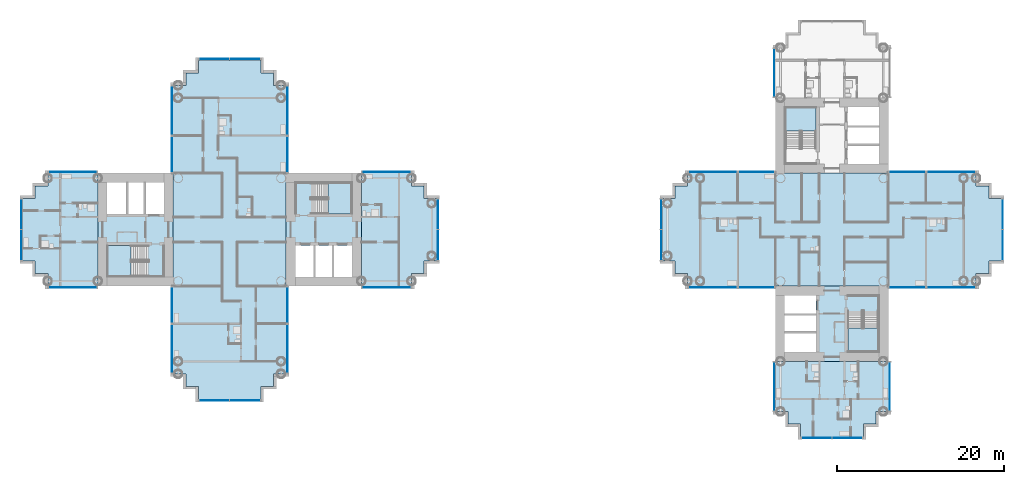
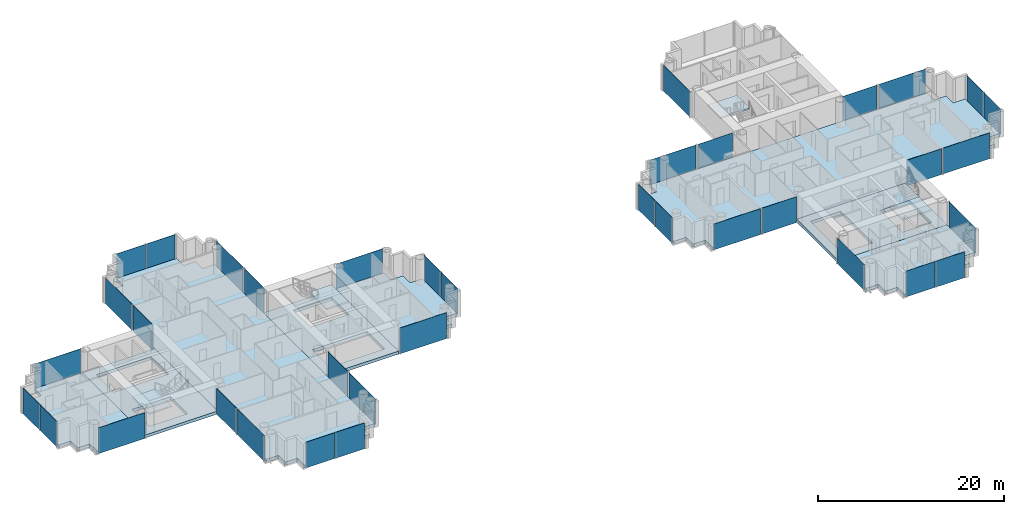
# One storey, part 7 of 21: 37 plates, 12 slabs, 34 elements without a shape of their own.
"""IFC4 building model written with IfcOpenShell, lengths in metres."""

import ifcopenshell
import ifcopenshell.guid

model = None  # the IFC model being written
_history = None  # IfcOwnerHistory: only IFC2X3 demands one
_inside = {}  # id of a spatial element -> (the spatial element, [elements in it])
_under = {}  # id of a project, library or spatial element -> (it, [spatial elements below it])
_declared = {}  # id of a project -> (the project, [libraries it declares])
_typed = {}  # id of a type object -> (the type object, [elements of that type])
_made_of = {}  # id of a material, layer set ... -> (it, [elements and type objects made of it])


def new_model(schema):
    """Start an empty IFC model of exactly this schema.

    Asked for "IFC4X3", IfcOpenShell would pick the latest addendum, in which some entities
    have other attributes; the version numbers below select the first issue.
    IFC2X3 requires an IfcOwnerHistory on every rooted entity: one is made here for all.
    """
    global model, _history
    if schema == "IFC4X3":
        model = ifcopenshell.file(schema_version=(4, 3, 0, 0))
    else:
        model = ifcopenshell.file(schema=schema)
    _inside.clear()
    _under.clear()
    _declared.clear()
    _typed.clear()
    _made_of.clear()
    _history = None
    if model.schema == "IFC2X3":
        org = make("IfcOrganization", Name="unknown")
        user = make(
            "IfcPersonAndOrganization",
            ThePerson=make("IfcPerson", FamilyName="unknown"),
            TheOrganization=org,
        )
        app = make(
            "IfcApplication",
            ApplicationDeveloper=org,
            Version="unknown",
            ApplicationFullName="unknown",
            ApplicationIdentifier="unknown",
        )
        _history = make(
            "IfcOwnerHistory",
            OwningUser=user,
            OwningApplication=app,
            ChangeAction="ADDED",
            CreationDate=0,
        )
    return model


def make(cls, **values):
    """One entity of the class cls with the attributes given. An attribute that is None is left unset."""
    return model.create_entity(
        cls, **{name: value for name, value in values.items() if value is not None}
    )


def rooted(cls, **values):
    """An entity with a GlobalId (a new one), such as an element, a storey or a relation."""
    return make(cls, GlobalId=ifcopenshell.guid.new(), OwnerHistory=_history, **values)


def si_unit(unit_type, name, prefix=None):
    """IfcSIUnit, for example si_unit("LENGTHUNIT", "METRE", prefix="MILLI")."""
    return make("IfcSIUnit", UnitType=unit_type, Prefix=prefix, Name=name)


def assignment(units):
    """IfcUnitAssignment: the units of a project."""
    return None if units is None else make("IfcUnitAssignment", Units=units)


def point(xyz):
    """IfcCartesianPoint."""
    return None if xyz is None else make("IfcCartesianPoint", Coordinates=xyz)


def direction(xyz):
    """IfcDirection."""
    return None if xyz is None else make("IfcDirection", DirectionRatios=xyz)


def frame(location, z_axis=None, x_axis=None):
    """IfcAxis2Placement3D, a coordinate frame: its origin and axes. An axis left out is left unset."""
    return make(
        "IfcAxis2Placement3D",
        Location=point(location),
        Axis=direction(z_axis),
        RefDirection=direction(x_axis),
    )


def frame_2d(location, x_axis=None):
    """IfcAxis2Placement2D, a coordinate frame in the plane: its origin and x axis."""
    return make(
        "IfcAxis2Placement2D", Location=point(location), RefDirection=direction(x_axis)
    )


def origin():
    """The frame at (0, 0, 0) with its axes left unset."""
    return frame((0.0, 0.0, 0.0))


def origin_2d():
    """The frame at (0, 0) in the plane with its x axis left unset."""
    return frame_2d((0.0, 0.0))


def place(relative_to, where):
    """IfcLocalPlacement: puts the frame where relative to a parent placement (None: the world)."""
    return make(
        "IfcLocalPlacement", PlacementRelTo=relative_to, RelativePlacement=where
    )


def context(
    kind, dimensions, precision=None, world=None, true_north=None, identifier=None
):
    """IfcGeometricRepresentationContext, for example the 3D "Model" context."""
    return make(
        "IfcGeometricRepresentationContext",
        ContextIdentifier=identifier,
        ContextType=kind,
        CoordinateSpaceDimension=dimensions,
        Precision=precision,
        WorldCoordinateSystem=world,
        TrueNorth=true_north,
    )


def subcontext(parent, identifier, kind, view, scale=None):
    """IfcGeometricRepresentationSubContext, for example "Body" below "Model"."""
    return make(
        "IfcGeometricRepresentationSubContext",
        ContextIdentifier=identifier,
        ContextType=kind,
        ParentContext=parent,
        TargetScale=scale,
        TargetView=view,
    )


def project(units=None, contexts=None):
    """IfcProject with its units and contexts."""
    return rooted(
        "IfcProject",
        Name="project",
        RepresentationContexts=contexts,
        UnitsInContext=assignment(units),
    )


def spatial(cls, under=None, at=None, **own):
    """A site, building, storey or space (cls), placed at a placement, below another one or the project."""
    s = rooted(cls, ObjectPlacement=at, **own)
    if under is not None:
        _under.setdefault(under.id(), (under, []))[1].append(s)
    return s


def polyline(points):
    """IfcPolyline through the points."""
    return make("IfcPolyline", Points=[point(p) for p in points])


def profile(cls, at=None, kind="AREA", **sizes):
    """A parametric profile (cls). Its sizes go by their IFC names, for example OverallWidth=200.0."""
    return make(cls, ProfileType=kind, Position=at, **sizes)


def rectangle(**sizes):
    """IfcRectangleProfileDef."""
    return profile("IfcRectangleProfileDef", **sizes)


def outline(outer, holes=None, kind="AREA"):
    """IfcArbitraryClosedProfileDef: a profile drawn as a closed curve; with holes, ...WithVoids."""
    if holes is None:
        return make("IfcArbitraryClosedProfileDef", ProfileType=kind, OuterCurve=outer)
    return make(
        "IfcArbitraryProfileDefWithVoids",
        ProfileType=kind,
        OuterCurve=outer,
        InnerCurves=holes,
    )


def extrude(swept, where, along, depth):
    """IfcExtrudedAreaSolid: the profile swept, set in the frame where, extruded along a direction by depth."""
    return make(
        "IfcExtrudedAreaSolid",
        SweptArea=swept,
        Position=where,
        ExtrudedDirection=direction(along),
        Depth=depth,
    )


def shape(context_of_items, identifier, shape_type, items):
    """IfcShapeRepresentation: the items that make up one representation, for example the "Body"."""
    return make(
        "IfcShapeRepresentation",
        ContextOfItems=context_of_items,
        RepresentationIdentifier=identifier,
        RepresentationType=shape_type,
        Items=items,
    )


def material(Name=None, Category=None):
    """IfcMaterial."""
    return make("IfcMaterial", Name=Name, Category=Category)


def layer(
    of_material, thickness, ventilated=None, Name=None, Category=None, Priority=None
):
    """IfcMaterialLayer: one layer of a wall or slab, of a material (None: an air gap)."""
    return make(
        "IfcMaterialLayer",
        Material=of_material,
        LayerThickness=thickness,
        IsVentilated=ventilated,
        Name=Name,
        Category=Category,
        Priority=Priority,
    )


def layer_set(layers, Name=None):
    """IfcMaterialLayerSet."""
    return make("IfcMaterialLayerSet", MaterialLayers=layers, LayerSetName=Name)


def made_of(thing, what):
    """Note that an element or type object is made of a material, layer set ...; save() writes the relation."""
    if what is not None:
        _made_of.setdefault(what.id(), (what, []))[1].append(thing)
    return thing


def type_object(cls, material=None, **own):
    """A type object (cls), such as IfcWallType, which elements share."""
    return made_of(rooted(cls, **own), material)


def element(
    cls,
    number,
    at=None,
    inside=None,
    cuts=None,
    type_object=None,
    material=None,
    context=None,
    identifier="Body",
    shape_type=None,
    held_by="IfcProductDefinitionShape",
    body=None,
    shapes=None,
    **own,
):
    """One element of the class cls, such as IfcWall. Its Tag is "e" and its number.

    at: its placement. inside: the storey or other place that contains it. cuts: it is an
    opening in that element (IfcRelVoidsElement). A single representation is given by context,
    identifier, shape_type and body (its items); several are given by shapes. held_by: the class
    of the entity that holds the representations. save() writes the other relations.
    """
    e = rooted(cls, Tag="e%d" % number, ObjectPlacement=at, **own)
    if body is not None:
        shapes = [shape(context, identifier, shape_type, body)]
    if shapes is not None:
        e.Representation = make(held_by, Representations=shapes)
    if inside is not None:
        _inside.setdefault(inside.id(), (inside, []))[1].append(e)
    if cuts is not None:
        rooted(
            "IfcRelVoidsElement", RelatingBuildingElement=cuts, RelatedOpeningElement=e
        )
    if type_object is not None:
        _typed.setdefault(type_object.id(), (type_object, []))[1].append(e)
    return made_of(e, material)


def aggregate(whole, parts):
    """IfcRelAggregates: a whole, such as a stair, and the parts it consists of."""
    return rooted("IfcRelAggregates", RelatingObject=whole, RelatedObjects=parts)


def save(model, path):
    """Write the relations noted so far, then the file.

    IfcRelAggregates (storeys below a building ...), IfcRelContainedInSpatialStructure (elements
    in a storey), IfcRelDefinesByType, IfcRelAssociatesMaterial and IfcRelDeclares: one each for
    every whole, place, type object, material and project.
    """
    for whole, parts in _under.values():
        aggregate(whole, parts)
    for where, things in _inside.values():
        rooted(
            "IfcRelContainedInSpatialStructure",
            RelatedElements=things,
            RelatingStructure=where,
        )
    for kind, things in _typed.values():
        rooted("IfcRelDefinesByType", RelatedObjects=things, RelatingType=kind)
    for what, things in _made_of.values():
        rooted("IfcRelAssociatesMaterial", RelatedObjects=things, RelatingMaterial=what)
    for by, libraries in _declared.values():
        rooted("IfcRelDeclares", RelatingContext=by, RelatedDefinitions=libraries)
    model.write(path)


model = new_model("IFC4")

# Units and contexts
model_context = context("Model", 3, precision=1e-05, world=origin(), true_north=direction((0.0, 1.0)))
body_context = subcontext(model_context, "Body", "Model", "MODEL_VIEW")
ifc_project = project(units=[si_unit("LENGTHUNIT", "METRE"), si_unit("AREAUNIT", "SQUARE_METRE"), si_unit("VOLUMEUNIT", "CUBIC_METRE"), si_unit("PLANEANGLEUNIT", "RADIAN"), si_unit("MASSUNIT", "GRAM", prefix="KILO")], contexts=[model_context])

# Site, building, storey
site_placement = place(None, origin())
site = spatial("IfcSite", under=ifc_project, at=site_placement, CompositionType="ELEMENT")
building_placement = place(site_placement, origin())
building = spatial("IfcBuilding", under=site, at=building_placement, Name="Ipe Terrace Towers", CompositionType="ELEMENT")
storey_placement = place(building_placement, frame((0.0, 0.0, 48.300048828125)))
storey = spatial("IfcBuildingStorey", under=building, at=storey_placement, Name="L12", CompositionType="ELEMENT", Elevation=48.300048828125)

# Slabs
ifc_material_1 = material(Name="Concrete C30/37", Category="concrete")
ifc_layer_1 = layer(ifc_material_1, 0.39990234375)
ifc_layer_set_1 = layer_set([ifc_layer_1], Name="CORE FLOOR SLAB 400 C30-37")
slab_type_1 = type_object("IfcSlabType", Name="CORE FLOOR SLAB 400 C30-37", PredefinedType="FLOOR", material=ifc_layer_set_1)
slab_1_placement = place(storey_placement, frame((0.0, 0.0, -0.400146484375)))
element("IfcSlab", 1, at=slab_1_placement, inside=storey, type_object=slab_type_1, Name="Core floor T1-C1", PredefinedType="FLOOR", context=body_context, shape_type="SweptSolid", body=[
    extrude(outline(polyline([(-29.25, -6.75), (-29.25, 6.75), (-20.25, 6.75), (-20.25, -6.75), (-29.25, -6.75)]), holes=[polyline([(-28.14990234375, -5.64990234375), (-21.35009765625, -5.64990234375), (-21.35009765625, -1.89990234375), (-28.14990234375, -1.89990234375), (-28.14990234375, -5.64990234375)]), polyline([(-26.199951171875, 5.550048828125), (-26.199951171875, 1.89990234375), (-21.449951171875, 1.89990234375), (-21.449951171875, 5.550048828125), (-26.199951171875, 5.550048828125)])]), origin(), (0.0, 0.0, 1.0), 0.400146484375),
])
slab_2_placement = place(storey_placement, frame((0.0, 0.0, -0.400146484375)))
element("IfcSlab", 2, at=slab_2_placement, inside=storey, type_object=slab_type_1, Name="Core floor T1-C2", PredefinedType="FLOOR", context=body_context, shape_type="SweptSolid", body=[
    extrude(outline(polyline([(-51.75, -6.75), (-51.75, 6.75), (-42.75, 6.75), (-42.75, -6.75), (-51.75, -6.75)]), holes=[polyline([(-45.800048828125, -5.550048828125), (-45.800048828125, -1.89990234375), (-50.550048828125, -1.89990234375), (-50.550048828125, -5.550048828125), (-45.800048828125, -5.550048828125)]), polyline([(-50.64990234375, 1.89990234375), (-43.85009765625, 1.89990234375), (-43.85009765625, 5.64990234375), (-50.64990234375, 5.64990234375), (-50.64990234375, 1.89990234375)])]), origin(), (0.0, 0.0, 1.0), 0.400146484375),
])
slab_3_placement = place(storey_placement, frame((0.0, 0.0, -0.400146484375)))
element("IfcSlab", 3, at=slab_3_placement, inside=storey, type_object=slab_type_1, Name="Core floor T2-C2", PredefinedType="FLOOR", context=body_context, shape_type="SweptSolid", body=[
    extrude(outline(polyline([(29.25, -15.75), (29.25, -6.75), (42.75, -6.75), (42.75, -15.75), (29.25, -15.75)]), holes=[polyline([(34.10009765625, -14.64990234375), (34.10009765625, -7.85009765625), (30.35009765625, -7.85009765625), (30.35009765625, -14.64990234375), (34.10009765625, -14.64990234375)]), polyline([(41.550048828125, -9.800048828125), (37.89990234375, -9.800048828125), (37.89990234375, -14.550048828125), (41.550048828125, -14.550048828125), (41.550048828125, -9.800048828125)])]), origin(), (0.0, 0.0, 1.0), 0.400146484375),
])

# Stair, slab
ifc_material_2 = material(Name="Concrete C30/37", Category="concrete")
stair_type = type_object("IfcStairType", Name="Protected exit stair", PredefinedType="HALF_TURN_STAIR", material=ifc_material_2)
stair_1_placement = place(storey_placement, origin())
stair_1 = element("IfcStair", 4, at=stair_1_placement, inside=storey, type_object=stair_type, Name="L12 Exit stair T1-C1", PredefinedType="HALF_TURN_STAIR")
ifc_material_3 = material(Name="Concrete C30/37", Category="concrete")
ifc_layer_2 = layer(ifc_material_3, 0.199951171875)
ifc_layer_set_2 = layer_set([ifc_layer_2], Name="Exit stair landing 200")
slab_type_2 = type_object("IfcSlabType", Name="Exit stair landing 200", PredefinedType="LANDING", material=ifc_layer_set_2)
slab_4_placement = place(storey_placement, frame((0.0, 0.0, 1.5)))
slab_4 = element("IfcSlab", 5, at=slab_4_placement, type_object=slab_type_2, Name="T1-ST1 landing 1", PredefinedType="LANDING", context=body_context, shape_type="SweptSolid", body=[
    extrude(outline(polyline([(-24.219970703125, 1.89990234375), (-21.449951171875, 1.89990234375), (-21.449951171875, 5.550048828125), (-24.219970703125, 5.550048828125), (-24.219970703125, 1.89990234375)])), origin(), (0.0, 0.0, 1.0), 0.199951171875),
])
aggregate(stair_1, [slab_4])

stair_2_placement = place(storey_placement, origin())
stair_2 = element("IfcStair", 6, at=stair_2_placement, inside=storey, type_object=stair_type, Name="L12 Exit stair T1-C2", PredefinedType="HALF_TURN_STAIR")
slab_5_placement = place(storey_placement, frame((0.0, 0.0, 1.5)))
slab_5 = element("IfcSlab", 7, at=slab_5_placement, type_object=slab_type_2, Name="T1-ST2 landing 1", PredefinedType="LANDING", context=body_context, shape_type="SweptSolid", body=[
    extrude(outline(polyline([(-47.780029296875, -1.89990234375), (-50.550048828125, -1.89990234375), (-50.550048828125, -5.550048828125), (-47.780029296875, -5.550048828125), (-47.780029296875, -1.89990234375)])), origin(), (0.0, 0.0, 1.0), 0.199951171875),
])
aggregate(stair_2, [slab_5])

stair_3_placement = place(storey_placement, origin())
stair_3 = element("IfcStair", 8, at=stair_3_placement, inside=storey, type_object=stair_type, Name="L12 Exit stair T2-C1", PredefinedType="HALF_TURN_STAIR")
slab_6_placement = place(storey_placement, frame((0.0, 0.0, 1.5)))
slab_6 = element("IfcSlab", 9, at=slab_6_placement, type_object=slab_type_2, Name="T2-ST1 landing 1", PredefinedType="LANDING", context=body_context, shape_type="SweptSolid", body=[
    extrude(outline(polyline([(34.10009765625, 11.780029296875), (34.10009765625, 14.550048828125), (30.449951171875, 14.550048828125), (30.449951171875, 11.780029296875), (34.10009765625, 11.780029296875)])), origin(), (0.0, 0.0, 1.0), 0.199951171875),
])
aggregate(stair_3, [slab_6])

stair_4_placement = place(storey_placement, origin())
stair_4 = element("IfcStair", 10, at=stair_4_placement, inside=storey, type_object=stair_type, Name="L12 Exit stair T2-C2", PredefinedType="HALF_TURN_STAIR")
slab_7_placement = place(storey_placement, frame((0.0, 0.0, 1.5)))
slab_7 = element("IfcSlab", 11, at=slab_7_placement, type_object=slab_type_2, Name="T2-ST2 landing 1", PredefinedType="LANDING", context=body_context, shape_type="SweptSolid", body=[
    extrude(outline(polyline([(37.89990234375, -11.780029296875), (37.89990234375, -14.550048828125), (41.550048828125, -14.550048828125), (41.550048828125, -11.780029296875), (37.89990234375, -11.780029296875)])), origin(), (0.0, 0.0, 1.0), 0.199951171875),
])
aggregate(stair_4, [slab_7])

# Slabs
ifc_material_4 = material(Name="Concrete C40/50", Category="concrete")
ifc_layer_3 = layer(ifc_material_4, 0.39990234375)
ifc_layer_set_3 = layer_set([ifc_layer_3], Name="FLAT PLATE SLAB 400 C40-50")
slab_type_3 = type_object("IfcSlabType", Name="FLAT PLATE SLAB 400 C40-50", PredefinedType="FLOOR", material=ifc_layer_set_3)
slab_8_placement = place(storey_placement, frame((0.0, 0.0, -0.400146484375)))
element("IfcSlab", 12, at=slab_8_placement, inside=storey, type_object=slab_type_3, Name="Slab T1-FS-Z11", PredefinedType="FLOOR", context=body_context, shape_type="SweptSolid", body=[
    extrude(outline(polyline([(-30.75, -17.25), (-30.75, -18.75), (-32.25, -18.75), (-32.25, -20.25), (-39.75, -20.25), (-39.75, -18.75), (-41.25, -18.75), (-41.25, -17.25), (-42.75, -17.25), (-42.75, -6.75), (-42.75, 6.75), (-42.75, 17.25), (-41.25, 17.25), (-41.25, 18.75), (-39.75, 18.75), (-39.75, 20.25), (-32.25, 20.25), (-32.25, 18.75), (-30.75, 18.75), (-30.75, 17.25), (-29.25, 17.25), (-29.25, 6.75), (-29.25, -6.75), (-29.25, -17.25), (-30.75, -17.25)])), origin(), (0.0, 0.0, 1.0), 0.400146484375),
])
slab_9_placement = place(storey_placement, frame((0.0, 0.0, -0.400146484375)))
element("IfcSlab", 13, at=slab_9_placement, inside=storey, type_object=slab_type_3, Name="Slab T1-FS-Z12", PredefinedType="FLOOR", context=body_context, shape_type="SweptSolid", body=[
    extrude(outline(polyline([(-57.75, -6.75), (-57.75, -5.25), (-59.25, -5.25), (-59.25, -3.75), (-60.75, -3.75), (-60.75, 3.75), (-59.25, 3.75), (-59.25, 5.25), (-57.75, 5.25), (-57.75, 6.75), (-51.75, 6.75), (-51.75, -6.75), (-57.75, -6.75)])), origin(), (0.0, 0.0, 1.0), 0.400146484375),
])
slab_10_placement = place(storey_placement, frame((0.0, 0.0, -0.400146484375)))
element("IfcSlab", 14, at=slab_10_placement, inside=storey, type_object=slab_type_3, Name="Slab T1-FS-Z13", PredefinedType="FLOOR", context=body_context, shape_type="SweptSolid", body=[
    extrude(outline(polyline([(-14.25, 5.25), (-12.75, 5.25), (-12.75, 3.75), (-11.25, 3.75), (-11.25, -3.75), (-12.75, -3.75), (-12.75, -5.25), (-14.25, -5.25), (-14.25, -6.75), (-20.25, -6.75), (-20.25, 6.75), (-14.25, 6.75), (-14.25, 5.25)])), origin(), (0.0, 0.0, 1.0), 0.400146484375),
])
slab_11_placement = place(storey_placement, frame((0.0, 0.0, -0.400146484375)))
element("IfcSlab", 15, at=slab_11_placement, inside=storey, type_object=slab_type_3, Name="Slab T2-FS-Z11", PredefinedType="FLOOR", context=body_context, shape_type="SweptSolid", body=[
    extrude(outline(polyline([(53.25, 5.25), (54.75, 5.25), (54.75, 3.75), (56.25, 3.75), (56.25, -3.75), (54.75, -3.75), (54.75, -5.25), (53.25, -5.25), (53.25, -6.75), (42.75, -6.75), (29.25, -6.75), (18.75, -6.75), (18.75, -5.25), (17.25, -5.25), (17.25, -3.75), (15.75, -3.75), (15.75, 3.75), (17.25, 3.75), (17.25, 5.25), (18.75, 5.25), (18.75, 6.75), (29.25, 6.75), (42.75, 6.75), (53.25, 6.75), (53.25, 5.25)])), origin(), (0.0, 0.0, 1.0), 0.400146484375),
])
slab_12_placement = place(storey_placement, frame((0.0, 0.0, -0.400146484375)))
element("IfcSlab", 16, at=slab_12_placement, inside=storey, type_object=slab_type_3, Name="Slab T2-FS-Z12", PredefinedType="FLOOR", context=body_context, shape_type="SweptSolid", body=[
    extrude(outline(polyline([(42.75, -21.75), (41.25, -21.75), (41.25, -23.25), (39.75, -23.25), (39.75, -24.75), (32.25, -24.75), (32.25, -23.25), (30.75, -23.25), (30.75, -21.75), (29.25, -21.75), (29.25, -15.75), (42.75, -15.75), (42.75, -21.75)])), origin(), (0.0, 0.0, 1.0), 0.400146484375),
])

# Curtain wall, plate
ifc_material_5 = material(Name="Aluminium alloy 6063-T6", Category="aluminium")
ifc_layer_4 = layer(ifc_material_5, 0.320068359375)
ifc_layer_set_4 = layer_set([ifc_layer_4], Name="TOWER UNITISED CURTAIN WALL")
curtain_wall_type = type_object("IfcCurtainWallType", Name="TOWER UNITISED CURTAIN WALL", PredefinedType="NOTDEFINED", material=ifc_layer_set_4)
curtain_wall_1_placement = place(storey_placement, origin())
curtain_wall_1 = element("IfcCurtainWall", 17, at=curtain_wall_1_placement, inside=storey, type_object=curtain_wall_type, Name="T1-CW-L12-04a curtain wall", PredefinedType="NOTDEFINED")
ifc_material_6 = material(Name="Glass, clear laminated", Category="glass")
ifc_layer_5 = layer(ifc_material_6, 0.031982421875)
ifc_layer_set_5 = layer_set([ifc_layer_5], Name="TOWER UNITISED GLASS PANEL 32")
plate_type = type_object("IfcPlateType", Name="TOWER UNITISED GLASS PANEL 32", PredefinedType="CURTAIN_PANEL", material=ifc_layer_set_5)
plate_1_placement = place(storey_placement, frame((-54.75048828125, -6.909912109375, -0.300048828125), z_axis=(0.0, 0.0, 1.0), x_axis=(1.0, 0.0, 0.0)))
plate_1 = element("IfcPlate", 18, at=plate_1_placement, type_object=plate_type, Name="T1-CW-L12-04a panel 1", PredefinedType="CURTAIN_PANEL", context=body_context, shape_type="SweptSolid", body=[
    extrude(rectangle(XDim=5.759033203125, YDim=0.031982421875, at=origin_2d()), origin(), (0.0, 0.0, 1.0), 3.39990234375),
])
aggregate(curtain_wall_1, [plate_1])

curtain_wall_2_placement = place(storey_placement, origin())
curtain_wall_2 = element("IfcCurtainWall", 19, at=curtain_wall_2_placement, inside=storey, type_object=curtain_wall_type, Name="T1-CW-L12-06a curtain wall", PredefinedType="NOTDEFINED")
plate_2_placement = place(storey_placement, frame((-42.909912109375, -9.0, -0.300048828125), z_axis=(0.0, 0.0, 1.0), x_axis=(0.0, -1.0, 0.0)))
plate_2 = element("IfcPlate", 20, at=plate_2_placement, type_object=plate_type, Name="T1-CW-L12-06a panel 1", PredefinedType="CURTAIN_PANEL", context=body_context, shape_type="SweptSolid", body=[
    extrude(rectangle(XDim=4.260009765625, YDim=0.031982421875, at=origin_2d()), origin(), (0.0, 0.0, 1.0), 3.39990234375),
])
aggregate(curtain_wall_2, [plate_2])

curtain_wall_3_placement = place(storey_placement, origin())
curtain_wall_3 = element("IfcCurtainWall", 21, at=curtain_wall_3_placement, inside=storey, type_object=curtain_wall_type, Name="T1-CW-L12-07a curtain wall", PredefinedType="NOTDEFINED")
plate_3_placement = place(storey_placement, frame((-42.909912109375, -14.25, -0.300048828125), z_axis=(0.0, 0.0, 1.0), x_axis=(0.0, -1.0, 0.0)))
plate_3 = element("IfcPlate", 22, at=plate_3_placement, type_object=plate_type, Name="T1-CW-L12-07a panel 1", PredefinedType="CURTAIN_PANEL", context=body_context, shape_type="SweptSolid", body=[
    extrude(rectangle(XDim=5.760009765625, YDim=0.031982421875, at=origin_2d()), origin(), (0.0, 0.0, 1.0), 3.39990234375),
])
aggregate(curtain_wall_3, [plate_3])

# Curtain wall, plates
curtain_wall_4_placement = place(storey_placement, origin())
curtain_wall_4 = element("IfcCurtainWall", 23, at=curtain_wall_4_placement, inside=storey, type_object=curtain_wall_type, Name="T1-CW-L12-12a curtain wall", PredefinedType="NOTDEFINED")
plate_4_placement = place(storey_placement, frame((-37.831298828125, -20.409912109375, -0.300048828125), z_axis=(0.0, 0.0, 1.0), x_axis=(1.0, 0.0, 0.0)))
plate_4 = element("IfcPlate", 24, at=plate_4_placement, type_object=plate_type, Name="T1-CW-L12-12a panel 1", PredefinedType="CURTAIN_PANEL", context=body_context, shape_type="SweptSolid", body=[
    extrude(rectangle(XDim=3.597412109375, YDim=0.031982421875, at=origin_2d()), origin(), (0.0, 0.0, 1.0), 3.39990234375),
])
plate_5_placement = place(storey_placement, frame((-34.168701171875, -20.409912109375, -0.300048828125), z_axis=(0.0, 0.0, 1.0), x_axis=(1.0, 0.0, 0.0)))
plate_5 = element("IfcPlate", 25, at=plate_5_placement, type_object=plate_type, Name="T1-CW-L12-12a panel 2", PredefinedType="CURTAIN_PANEL", context=body_context, shape_type="SweptSolid", body=[
    extrude(rectangle(XDim=3.597412109375, YDim=0.031982421875, at=origin_2d()), origin(), (0.0, 0.0, 1.0), 3.39990234375),
])
aggregate(curtain_wall_4, [plate_4, plate_5])

# Curtain wall, plate
curtain_wall_5_placement = place(storey_placement, origin())
curtain_wall_5 = element("IfcCurtainWall", 26, at=curtain_wall_5_placement, inside=storey, type_object=curtain_wall_type, Name="T1-CW-L12-17a curtain wall", PredefinedType="NOTDEFINED")
plate_6_placement = place(storey_placement, frame((-29.090087890625, -14.25, -0.300048828125), z_axis=(0.0, 0.0, 1.0), x_axis=(0.0, 1.0, 0.0)))
plate_6 = element("IfcPlate", 27, at=plate_6_placement, type_object=plate_type, Name="T1-CW-L12-17a panel 1", PredefinedType="CURTAIN_PANEL", context=body_context, shape_type="SweptSolid", body=[
    extrude(rectangle(XDim=5.760009765625, YDim=0.031982421875, at=origin_2d()), origin(), (0.0, 0.0, 1.0), 3.39990234375),
])
aggregate(curtain_wall_5, [plate_6])

curtain_wall_6_placement = place(storey_placement, origin())
curtain_wall_6 = element("IfcCurtainWall", 28, at=curtain_wall_6_placement, inside=storey, type_object=curtain_wall_type, Name="T1-CW-L12-18a curtain wall", PredefinedType="NOTDEFINED")
plate_7_placement = place(storey_placement, frame((-29.090087890625, -9.0, -0.300048828125), z_axis=(0.0, 0.0, 1.0), x_axis=(0.0, 1.0, 0.0)))
plate_7 = element("IfcPlate", 29, at=plate_7_placement, type_object=plate_type, Name="T1-CW-L12-18a panel 1", PredefinedType="CURTAIN_PANEL", context=body_context, shape_type="SweptSolid", body=[
    extrude(rectangle(XDim=4.260009765625, YDim=0.031982421875, at=origin_2d()), origin(), (0.0, 0.0, 1.0), 3.39990234375),
])
aggregate(curtain_wall_6, [plate_7])

curtain_wall_7_placement = place(storey_placement, origin())
curtain_wall_7 = element("IfcCurtainWall", 30, at=curtain_wall_7_placement, inside=storey, type_object=curtain_wall_type, Name="T1-CW-L12-20b curtain wall", PredefinedType="NOTDEFINED")
plate_8_placement = place(storey_placement, frame((-17.24951171875, -6.909912109375, -0.300048828125), z_axis=(0.0, 0.0, 1.0), x_axis=(1.0, 0.0, 0.0)))
plate_8 = element("IfcPlate", 31, at=plate_8_placement, type_object=plate_type, Name="T1-CW-L12-20b panel 1", PredefinedType="CURTAIN_PANEL", context=body_context, shape_type="SweptSolid", body=[
    extrude(rectangle(XDim=5.759033203125, YDim=0.031982421875, at=origin_2d()), origin(), (0.0, 0.0, 1.0), 3.39990234375),
])
aggregate(curtain_wall_7, [plate_8])

# Curtain wall, plates
curtain_wall_8_placement = place(storey_placement, origin())
curtain_wall_8 = element("IfcCurtainWall", 32, at=curtain_wall_8_placement, inside=storey, type_object=curtain_wall_type, Name="T1-CW-L12-25a curtain wall", PredefinedType="NOTDEFINED")
plate_9_placement = place(storey_placement, frame((-11.090087890625, -1.831298828125, -0.300048828125), z_axis=(0.0, 0.0, 1.0), x_axis=(0.0, 1.0, 0.0)))
plate_9 = element("IfcPlate", 33, at=plate_9_placement, type_object=plate_type, Name="T1-CW-L12-25a panel 1", PredefinedType="CURTAIN_PANEL", context=body_context, shape_type="SweptSolid", body=[
    extrude(rectangle(XDim=3.597412109375, YDim=0.031982421875, at=origin_2d()), origin(), (0.0, 0.0, 1.0), 3.39990234375),
])
plate_10_placement = place(storey_placement, frame((-11.090087890625, 1.831298828125, -0.300048828125), z_axis=(0.0, 0.0, 1.0), x_axis=(0.0, 1.0, 0.0)))
plate_10 = element("IfcPlate", 34, at=plate_10_placement, type_object=plate_type, Name="T1-CW-L12-25a panel 2", PredefinedType="CURTAIN_PANEL", context=body_context, shape_type="SweptSolid", body=[
    extrude(rectangle(XDim=3.597412109375, YDim=0.031982421875, at=origin_2d()), origin(), (0.0, 0.0, 1.0), 3.39990234375),
])
aggregate(curtain_wall_8, [plate_9, plate_10])

# Curtain wall, plate
curtain_wall_9_placement = place(storey_placement, origin())
curtain_wall_9 = element("IfcCurtainWall", 35, at=curtain_wall_9_placement, inside=storey, type_object=curtain_wall_type, Name="T1-CW-L12-30a curtain wall", PredefinedType="NOTDEFINED")
plate_11_placement = place(storey_placement, frame((-17.24951171875, 6.909912109375, -0.300048828125), z_axis=(0.0, 0.0, 1.0), x_axis=(-1.0, 0.0, 0.0)))
plate_11 = element("IfcPlate", 36, at=plate_11_placement, type_object=plate_type, Name="T1-CW-L12-30a panel 1", PredefinedType="CURTAIN_PANEL", context=body_context, shape_type="SweptSolid", body=[
    extrude(rectangle(XDim=5.759033203125, YDim=0.031982421875, at=origin_2d()), origin(), (0.0, 0.0, 1.0), 3.39990234375),
])
aggregate(curtain_wall_9, [plate_11])

curtain_wall_10_placement = place(storey_placement, origin())
curtain_wall_10 = element("IfcCurtainWall", 37, at=curtain_wall_10_placement, inside=storey, type_object=curtain_wall_type, Name="T1-CW-L12-32a curtain wall", PredefinedType="NOTDEFINED")
plate_12_placement = place(storey_placement, frame((-29.090087890625, 9.0, -0.300048828125), z_axis=(0.0, 0.0, 1.0), x_axis=(0.0, 1.0, 0.0)))
plate_12 = element("IfcPlate", 38, at=plate_12_placement, type_object=plate_type, Name="T1-CW-L12-32a panel 1", PredefinedType="CURTAIN_PANEL", context=body_context, shape_type="SweptSolid", body=[
    extrude(rectangle(XDim=4.260009765625, YDim=0.031982421875, at=origin_2d()), origin(), (0.0, 0.0, 1.0), 3.39990234375),
])
aggregate(curtain_wall_10, [plate_12])

curtain_wall_11_placement = place(storey_placement, origin())
curtain_wall_11 = element("IfcCurtainWall", 39, at=curtain_wall_11_placement, inside=storey, type_object=curtain_wall_type, Name="T1-CW-L12-33a curtain wall", PredefinedType="NOTDEFINED")
plate_13_placement = place(storey_placement, frame((-29.090087890625, 14.25, -0.300048828125), z_axis=(0.0, 0.0, 1.0), x_axis=(0.0, 1.0, 0.0)))
plate_13 = element("IfcPlate", 40, at=plate_13_placement, type_object=plate_type, Name="T1-CW-L12-33a panel 1", PredefinedType="CURTAIN_PANEL", context=body_context, shape_type="SweptSolid", body=[
    extrude(rectangle(XDim=5.760009765625, YDim=0.031982421875, at=origin_2d()), origin(), (0.0, 0.0, 1.0), 3.39990234375),
])
aggregate(curtain_wall_11, [plate_13])

# Curtain wall, plates
curtain_wall_12_placement = place(storey_placement, origin())
curtain_wall_12 = element("IfcCurtainWall", 41, at=curtain_wall_12_placement, inside=storey, type_object=curtain_wall_type, Name="T1-CW-L12-38a curtain wall", PredefinedType="NOTDEFINED")
plate_14_placement = place(storey_placement, frame((-34.168701171875, 20.409912109375, -0.300048828125), z_axis=(0.0, 0.0, 1.0), x_axis=(-1.0, 0.0, 0.0)))
plate_14 = element("IfcPlate", 42, at=plate_14_placement, type_object=plate_type, Name="T1-CW-L12-38a panel 1", PredefinedType="CURTAIN_PANEL", context=body_context, shape_type="SweptSolid", body=[
    extrude(rectangle(XDim=3.597412109375, YDim=0.031982421875, at=origin_2d()), origin(), (0.0, 0.0, 1.0), 3.39990234375),
])
plate_15_placement = place(storey_placement, frame((-37.831298828125, 20.409912109375, -0.300048828125), z_axis=(0.0, 0.0, 1.0), x_axis=(-1.0, 0.0, 0.0)))
plate_15 = element("IfcPlate", 43, at=plate_15_placement, type_object=plate_type, Name="T1-CW-L12-38a panel 2", PredefinedType="CURTAIN_PANEL", context=body_context, shape_type="SweptSolid", body=[
    extrude(rectangle(XDim=3.597412109375, YDim=0.031982421875, at=origin_2d()), origin(), (0.0, 0.0, 1.0), 3.39990234375),
])
aggregate(curtain_wall_12, [plate_14, plate_15])

# Curtain wall, plate
curtain_wall_13_placement = place(storey_placement, origin())
curtain_wall_13 = element("IfcCurtainWall", 44, at=curtain_wall_13_placement, inside=storey, type_object=curtain_wall_type, Name="T1-CW-L12-43a curtain wall", PredefinedType="NOTDEFINED")
plate_16_placement = place(storey_placement, frame((-42.909912109375, 14.25, -0.300048828125), z_axis=(0.0, 0.0, 1.0), x_axis=(0.0, -1.0, 0.0)))
plate_16 = element("IfcPlate", 45, at=plate_16_placement, type_object=plate_type, Name="T1-CW-L12-43a panel 1", PredefinedType="CURTAIN_PANEL", context=body_context, shape_type="SweptSolid", body=[
    extrude(rectangle(XDim=5.760009765625, YDim=0.031982421875, at=origin_2d()), origin(), (0.0, 0.0, 1.0), 3.39990234375),
])
aggregate(curtain_wall_13, [plate_16])

curtain_wall_14_placement = place(storey_placement, origin())
curtain_wall_14 = element("IfcCurtainWall", 46, at=curtain_wall_14_placement, inside=storey, type_object=curtain_wall_type, Name="T1-CW-L12-44a curtain wall", PredefinedType="NOTDEFINED")
plate_17_placement = place(storey_placement, frame((-42.909912109375, 9.0, -0.300048828125), z_axis=(0.0, 0.0, 1.0), x_axis=(0.0, -1.0, 0.0)))
plate_17 = element("IfcPlate", 47, at=plate_17_placement, type_object=plate_type, Name="T1-CW-L12-44a panel 1", PredefinedType="CURTAIN_PANEL", context=body_context, shape_type="SweptSolid", body=[
    extrude(rectangle(XDim=4.260009765625, YDim=0.031982421875, at=origin_2d()), origin(), (0.0, 0.0, 1.0), 3.39990234375),
])
aggregate(curtain_wall_14, [plate_17])

curtain_wall_15_placement = place(storey_placement, origin())
curtain_wall_15 = element("IfcCurtainWall", 48, at=curtain_wall_15_placement, inside=storey, type_object=curtain_wall_type, Name="T1-CW-L12-46b curtain wall", PredefinedType="NOTDEFINED")
plate_18_placement = place(storey_placement, frame((-54.75048828125, 6.909912109375, -0.300048828125), z_axis=(0.0, 0.0, 1.0), x_axis=(-1.0, 0.0, 0.0)))
plate_18 = element("IfcPlate", 49, at=plate_18_placement, type_object=plate_type, Name="T1-CW-L12-46b panel 1", PredefinedType="CURTAIN_PANEL", context=body_context, shape_type="SweptSolid", body=[
    extrude(rectangle(XDim=5.759033203125, YDim=0.031982421875, at=origin_2d()), origin(), (0.0, 0.0, 1.0), 3.39990234375),
])
aggregate(curtain_wall_15, [plate_18])

# Curtain wall, plates
curtain_wall_16_placement = place(storey_placement, origin())
curtain_wall_16 = element("IfcCurtainWall", 50, at=curtain_wall_16_placement, inside=storey, type_object=curtain_wall_type, Name="T1-CW-L12-51a curtain wall", PredefinedType="NOTDEFINED")
plate_19_placement = place(storey_placement, frame((-60.909912109375, 1.831298828125, -0.300048828125), z_axis=(0.0, 0.0, 1.0), x_axis=(0.0, -1.0, 0.0)))
plate_19 = element("IfcPlate", 51, at=plate_19_placement, type_object=plate_type, Name="T1-CW-L12-51a panel 1", PredefinedType="CURTAIN_PANEL", context=body_context, shape_type="SweptSolid", body=[
    extrude(rectangle(XDim=3.597412109375, YDim=0.031982421875, at=origin_2d()), origin(), (0.0, 0.0, 1.0), 3.39990234375),
])
plate_20_placement = place(storey_placement, frame((-60.909912109375, -1.831298828125, -0.300048828125), z_axis=(0.0, 0.0, 1.0), x_axis=(0.0, -1.0, 0.0)))
plate_20 = element("IfcPlate", 52, at=plate_20_placement, type_object=plate_type, Name="T1-CW-L12-51a panel 2", PredefinedType="CURTAIN_PANEL", context=body_context, shape_type="SweptSolid", body=[
    extrude(rectangle(XDim=3.597412109375, YDim=0.031982421875, at=origin_2d()), origin(), (0.0, 0.0, 1.0), 3.39990234375),
])
aggregate(curtain_wall_16, [plate_19, plate_20])

# Curtain wall, plate
curtain_wall_17_placement = place(storey_placement, origin())
curtain_wall_17 = element("IfcCurtainWall", 53, at=curtain_wall_17_placement, inside=storey, type_object=curtain_wall_type, Name="T2-CW-L12-04a curtain wall", PredefinedType="NOTDEFINED")
plate_21_placement = place(storey_placement, frame((42.909912109375, -18.75048828125, -0.300048828125), z_axis=(0.0, 0.0, 1.0), x_axis=(0.0, 1.0, 0.0)))
plate_21 = element("IfcPlate", 54, at=plate_21_placement, type_object=plate_type, Name="T2-CW-L12-04a panel 1", PredefinedType="CURTAIN_PANEL", context=body_context, shape_type="SweptSolid", body=[
    extrude(rectangle(XDim=5.759033203125, YDim=0.031982421875, at=origin_2d()), origin(), (0.0, 0.0, 1.0), 3.39990234375),
])
aggregate(curtain_wall_17, [plate_21])

curtain_wall_18_placement = place(storey_placement, origin())
curtain_wall_18 = element("IfcCurtainWall", 55, at=curtain_wall_18_placement, inside=storey, type_object=curtain_wall_type, Name="T2-CW-L12-06a curtain wall", PredefinedType="NOTDEFINED")
plate_22_placement = place(storey_placement, frame((45.0, -6.909912109375, -0.300048828125), z_axis=(0.0, 0.0, 1.0), x_axis=(1.0, 0.0, 0.0)))
plate_22 = element("IfcPlate", 56, at=plate_22_placement, type_object=plate_type, Name="T2-CW-L12-06a panel 1", PredefinedType="CURTAIN_PANEL", context=body_context, shape_type="SweptSolid", body=[
    extrude(rectangle(XDim=4.260009765625, YDim=0.031982421875, at=origin_2d()), origin(), (0.0, 0.0, 1.0), 3.39990234375),
])
aggregate(curtain_wall_18, [plate_22])

curtain_wall_19_placement = place(storey_placement, origin())
curtain_wall_19 = element("IfcCurtainWall", 57, at=curtain_wall_19_placement, inside=storey, type_object=curtain_wall_type, Name="T2-CW-L12-07a curtain wall", PredefinedType="NOTDEFINED")
plate_23_placement = place(storey_placement, frame((50.25, -6.909912109375, -0.300048828125), z_axis=(0.0, 0.0, 1.0), x_axis=(1.0, 0.0, 0.0)))
plate_23 = element("IfcPlate", 58, at=plate_23_placement, type_object=plate_type, Name="T2-CW-L12-07a panel 1", PredefinedType="CURTAIN_PANEL", context=body_context, shape_type="SweptSolid", body=[
    extrude(rectangle(XDim=5.760009765625, YDim=0.031982421875, at=origin_2d()), origin(), (0.0, 0.0, 1.0), 3.39990234375),
])
aggregate(curtain_wall_19, [plate_23])

# Curtain wall, plates
curtain_wall_20_placement = place(storey_placement, origin())
curtain_wall_20 = element("IfcCurtainWall", 59, at=curtain_wall_20_placement, inside=storey, type_object=curtain_wall_type, Name="T2-CW-L12-12a curtain wall", PredefinedType="NOTDEFINED")
plate_24_placement = place(storey_placement, frame((56.409912109375, -1.831298828125, -0.300048828125), z_axis=(0.0, 0.0, 1.0), x_axis=(0.0, 1.0, 0.0)))
plate_24 = element("IfcPlate", 60, at=plate_24_placement, type_object=plate_type, Name="T2-CW-L12-12a panel 1", PredefinedType="CURTAIN_PANEL", context=body_context, shape_type="SweptSolid", body=[
    extrude(rectangle(XDim=3.597412109375, YDim=0.031982421875, at=origin_2d()), origin(), (0.0, 0.0, 1.0), 3.39990234375),
])
plate_25_placement = place(storey_placement, frame((56.409912109375, 1.831298828125, -0.300048828125), z_axis=(0.0, 0.0, 1.0), x_axis=(0.0, 1.0, 0.0)))
plate_25 = element("IfcPlate", 61, at=plate_25_placement, type_object=plate_type, Name="T2-CW-L12-12a panel 2", PredefinedType="CURTAIN_PANEL", context=body_context, shape_type="SweptSolid", body=[
    extrude(rectangle(XDim=3.597412109375, YDim=0.031982421875, at=origin_2d()), origin(), (0.0, 0.0, 1.0), 3.39990234375),
])
aggregate(curtain_wall_20, [plate_24, plate_25])

# Curtain wall, plate
curtain_wall_21_placement = place(storey_placement, origin())
curtain_wall_21 = element("IfcCurtainWall", 62, at=curtain_wall_21_placement, inside=storey, type_object=curtain_wall_type, Name="T2-CW-L12-17a curtain wall", PredefinedType="NOTDEFINED")
plate_26_placement = place(storey_placement, frame((50.25, 6.909912109375, -0.300048828125), z_axis=(0.0, 0.0, 1.0), x_axis=(-1.0, 0.0, 0.0)))
plate_26 = element("IfcPlate", 63, at=plate_26_placement, type_object=plate_type, Name="T2-CW-L12-17a panel 1", PredefinedType="CURTAIN_PANEL", context=body_context, shape_type="SweptSolid", body=[
    extrude(rectangle(XDim=5.760009765625, YDim=0.031982421875, at=origin_2d()), origin(), (0.0, 0.0, 1.0), 3.39990234375),
])
aggregate(curtain_wall_21, [plate_26])

curtain_wall_22_placement = place(storey_placement, origin())
curtain_wall_22 = element("IfcCurtainWall", 64, at=curtain_wall_22_placement, inside=storey, type_object=curtain_wall_type, Name="T2-CW-L12-18a curtain wall", PredefinedType="NOTDEFINED")
plate_27_placement = place(storey_placement, frame((45.0, 6.909912109375, -0.300048828125), z_axis=(0.0, 0.0, 1.0), x_axis=(-1.0, 0.0, 0.0)))
plate_27 = element("IfcPlate", 65, at=plate_27_placement, type_object=plate_type, Name="T2-CW-L12-18a panel 1", PredefinedType="CURTAIN_PANEL", context=body_context, shape_type="SweptSolid", body=[
    extrude(rectangle(XDim=4.260009765625, YDim=0.031982421875, at=origin_2d()), origin(), (0.0, 0.0, 1.0), 3.39990234375),
])
aggregate(curtain_wall_22, [plate_27])

curtain_wall_23_placement = place(storey_placement, origin())
curtain_wall_23 = element("IfcCurtainWall", 66, at=curtain_wall_23_placement, inside=storey, type_object=curtain_wall_type, Name="T2-CW-L12-30a curtain wall", PredefinedType="NOTDEFINED")
plate_28_placement = place(storey_placement, frame((29.090087890625, 18.75048828125, -0.300048828125), z_axis=(0.0, 0.0, 1.0), x_axis=(0.0, -1.0, 0.0)))
plate_28 = element("IfcPlate", 67, at=plate_28_placement, type_object=plate_type, Name="T2-CW-L12-30a panel 1", PredefinedType="CURTAIN_PANEL", context=body_context, shape_type="SweptSolid", body=[
    extrude(rectangle(XDim=5.759033203125, YDim=0.031982421875, at=origin_2d()), origin(), (0.0, 0.0, 1.0), 3.39990234375),
])
aggregate(curtain_wall_23, [plate_28])

curtain_wall_24_placement = place(storey_placement, origin())
curtain_wall_24 = element("IfcCurtainWall", 68, at=curtain_wall_24_placement, inside=storey, type_object=curtain_wall_type, Name="T2-CW-L12-32a curtain wall", PredefinedType="NOTDEFINED")
plate_29_placement = place(storey_placement, frame((27.0, 6.909912109375, -0.300048828125), z_axis=(0.0, 0.0, 1.0), x_axis=(-1.0, 0.0, 0.0)))
plate_29 = element("IfcPlate", 69, at=plate_29_placement, type_object=plate_type, Name="T2-CW-L12-32a panel 1", PredefinedType="CURTAIN_PANEL", context=body_context, shape_type="SweptSolid", body=[
    extrude(rectangle(XDim=4.260009765625, YDim=0.031982421875, at=origin_2d()), origin(), (0.0, 0.0, 1.0), 3.39990234375),
])
aggregate(curtain_wall_24, [plate_29])

curtain_wall_25_placement = place(storey_placement, origin())
curtain_wall_25 = element("IfcCurtainWall", 70, at=curtain_wall_25_placement, inside=storey, type_object=curtain_wall_type, Name="T2-CW-L12-33a curtain wall", PredefinedType="NOTDEFINED")
plate_30_placement = place(storey_placement, frame((21.75, 6.909912109375, -0.300048828125), z_axis=(0.0, 0.0, 1.0), x_axis=(-1.0, 0.0, 0.0)))
plate_30 = element("IfcPlate", 71, at=plate_30_placement, type_object=plate_type, Name="T2-CW-L12-33a panel 1", PredefinedType="CURTAIN_PANEL", context=body_context, shape_type="SweptSolid", body=[
    extrude(rectangle(XDim=5.760009765625, YDim=0.031982421875, at=origin_2d()), origin(), (0.0, 0.0, 1.0), 3.39990234375),
])
aggregate(curtain_wall_25, [plate_30])

# Curtain wall, plates
curtain_wall_26_placement = place(storey_placement, origin())
curtain_wall_26 = element("IfcCurtainWall", 72, at=curtain_wall_26_placement, inside=storey, type_object=curtain_wall_type, Name="T2-CW-L12-38a curtain wall", PredefinedType="NOTDEFINED")
plate_31_placement = place(storey_placement, frame((15.590087890625, 1.831298828125, -0.300048828125), z_axis=(0.0, 0.0, 1.0), x_axis=(0.0, -1.0, 0.0)))
plate_31 = element("IfcPlate", 73, at=plate_31_placement, type_object=plate_type, Name="T2-CW-L12-38a panel 1", PredefinedType="CURTAIN_PANEL", context=body_context, shape_type="SweptSolid", body=[
    extrude(rectangle(XDim=3.597412109375, YDim=0.031982421875, at=origin_2d()), origin(), (0.0, 0.0, 1.0), 3.39990234375),
])
plate_32_placement = place(storey_placement, frame((15.590087890625, -1.831298828125, -0.300048828125), z_axis=(0.0, 0.0, 1.0), x_axis=(0.0, -1.0, 0.0)))
plate_32 = element("IfcPlate", 74, at=plate_32_placement, type_object=plate_type, Name="T2-CW-L12-38a panel 2", PredefinedType="CURTAIN_PANEL", context=body_context, shape_type="SweptSolid", body=[
    extrude(rectangle(XDim=3.597412109375, YDim=0.031982421875, at=origin_2d()), origin(), (0.0, 0.0, 1.0), 3.39990234375),
])
aggregate(curtain_wall_26, [plate_31, plate_32])

# Curtain wall, plate
curtain_wall_27_placement = place(storey_placement, origin())
curtain_wall_27 = element("IfcCurtainWall", 75, at=curtain_wall_27_placement, inside=storey, type_object=curtain_wall_type, Name="T2-CW-L12-43a curtain wall", PredefinedType="NOTDEFINED")
plate_33_placement = place(storey_placement, frame((21.75, -6.909912109375, -0.300048828125), z_axis=(0.0, 0.0, 1.0), x_axis=(1.0, 0.0, 0.0)))
plate_33 = element("IfcPlate", 76, at=plate_33_placement, type_object=plate_type, Name="T2-CW-L12-43a panel 1", PredefinedType="CURTAIN_PANEL", context=body_context, shape_type="SweptSolid", body=[
    extrude(rectangle(XDim=5.760009765625, YDim=0.031982421875, at=origin_2d()), origin(), (0.0, 0.0, 1.0), 3.39990234375),
])
aggregate(curtain_wall_27, [plate_33])

curtain_wall_28_placement = place(storey_placement, origin())
curtain_wall_28 = element("IfcCurtainWall", 77, at=curtain_wall_28_placement, inside=storey, type_object=curtain_wall_type, Name="T2-CW-L12-44a curtain wall", PredefinedType="NOTDEFINED")
plate_34_placement = place(storey_placement, frame((27.0, -6.909912109375, -0.300048828125), z_axis=(0.0, 0.0, 1.0), x_axis=(1.0, 0.0, 0.0)))
plate_34 = element("IfcPlate", 78, at=plate_34_placement, type_object=plate_type, Name="T2-CW-L12-44a panel 1", PredefinedType="CURTAIN_PANEL", context=body_context, shape_type="SweptSolid", body=[
    extrude(rectangle(XDim=4.260009765625, YDim=0.031982421875, at=origin_2d()), origin(), (0.0, 0.0, 1.0), 3.39990234375),
])
aggregate(curtain_wall_28, [plate_34])

curtain_wall_29_placement = place(storey_placement, origin())
curtain_wall_29 = element("IfcCurtainWall", 79, at=curtain_wall_29_placement, inside=storey, type_object=curtain_wall_type, Name="T2-CW-L12-46b curtain wall", PredefinedType="NOTDEFINED")
plate_35_placement = place(storey_placement, frame((29.090087890625, -18.75048828125, -0.300048828125), z_axis=(0.0, 0.0, 1.0), x_axis=(0.0, -1.0, 0.0)))
plate_35 = element("IfcPlate", 80, at=plate_35_placement, type_object=plate_type, Name="T2-CW-L12-46b panel 1", PredefinedType="CURTAIN_PANEL", context=body_context, shape_type="SweptSolid", body=[
    extrude(rectangle(XDim=5.759033203125, YDim=0.031982421875, at=origin_2d()), origin(), (0.0, 0.0, 1.0), 3.39990234375),
])
aggregate(curtain_wall_29, [plate_35])

# Curtain wall, plates
curtain_wall_30_placement = place(storey_placement, origin())
curtain_wall_30 = element("IfcCurtainWall", 81, at=curtain_wall_30_placement, inside=storey, type_object=curtain_wall_type, Name="T2-CW-L12-51a curtain wall", PredefinedType="NOTDEFINED")
plate_36_placement = place(storey_placement, frame((34.168701171875, -24.909912109375, -0.300048828125), z_axis=(0.0, 0.0, 1.0), x_axis=(1.0, 0.0, 0.0)))
plate_36 = element("IfcPlate", 82, at=plate_36_placement, type_object=plate_type, Name="T2-CW-L12-51a panel 1", PredefinedType="CURTAIN_PANEL", context=body_context, shape_type="SweptSolid", body=[
    extrude(rectangle(XDim=3.597412109375, YDim=0.031982421875, at=origin_2d()), origin(), (0.0, 0.0, 1.0), 3.39990234375),
])
plate_37_placement = place(storey_placement, frame((37.831298828125, -24.909912109375, -0.300048828125), z_axis=(0.0, 0.0, 1.0), x_axis=(1.0, 0.0, 0.0)))
plate_37 = element("IfcPlate", 83, at=plate_37_placement, type_object=plate_type, Name="T2-CW-L12-51a panel 2", PredefinedType="CURTAIN_PANEL", context=body_context, shape_type="SweptSolid", body=[
    extrude(rectangle(XDim=3.597412109375, YDim=0.031982421875, at=origin_2d()), origin(), (0.0, 0.0, 1.0), 3.39990234375),
])
aggregate(curtain_wall_30, [plate_36, plate_37])

save(model, "model.ifc")
